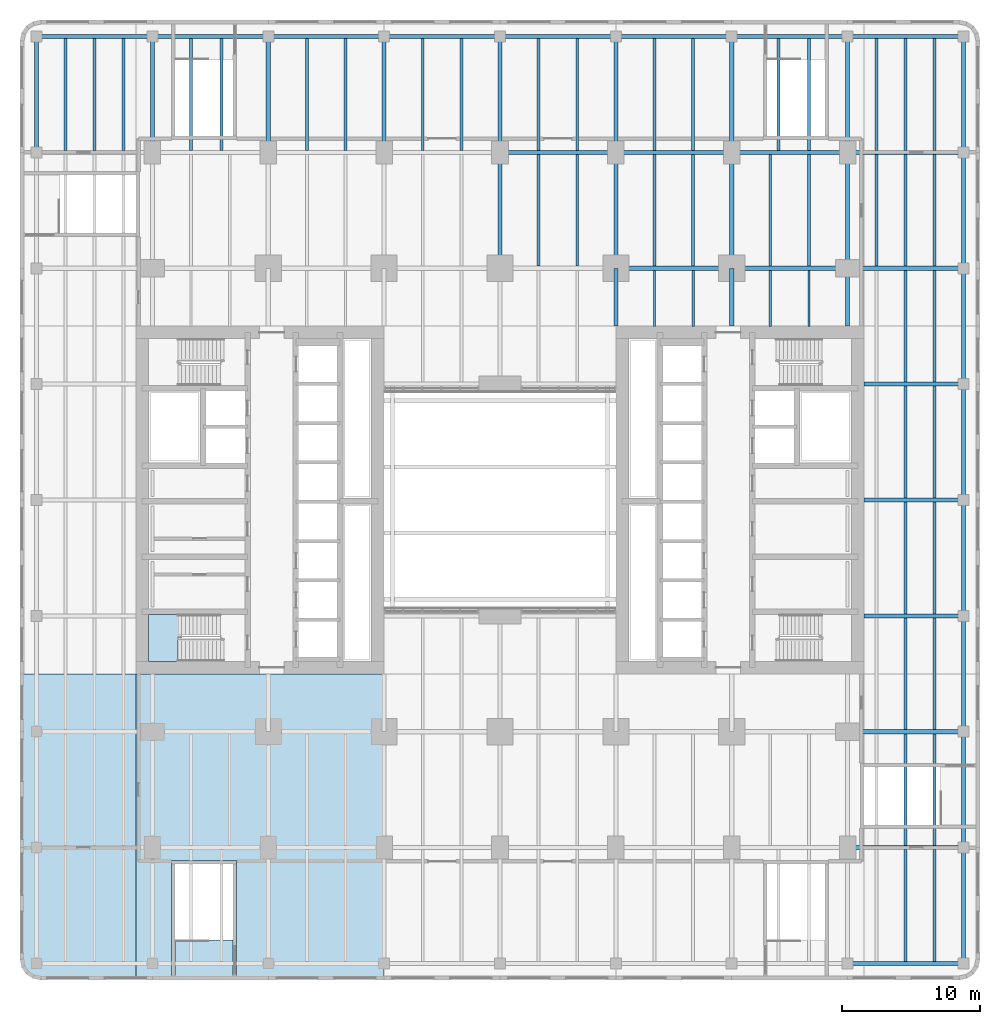
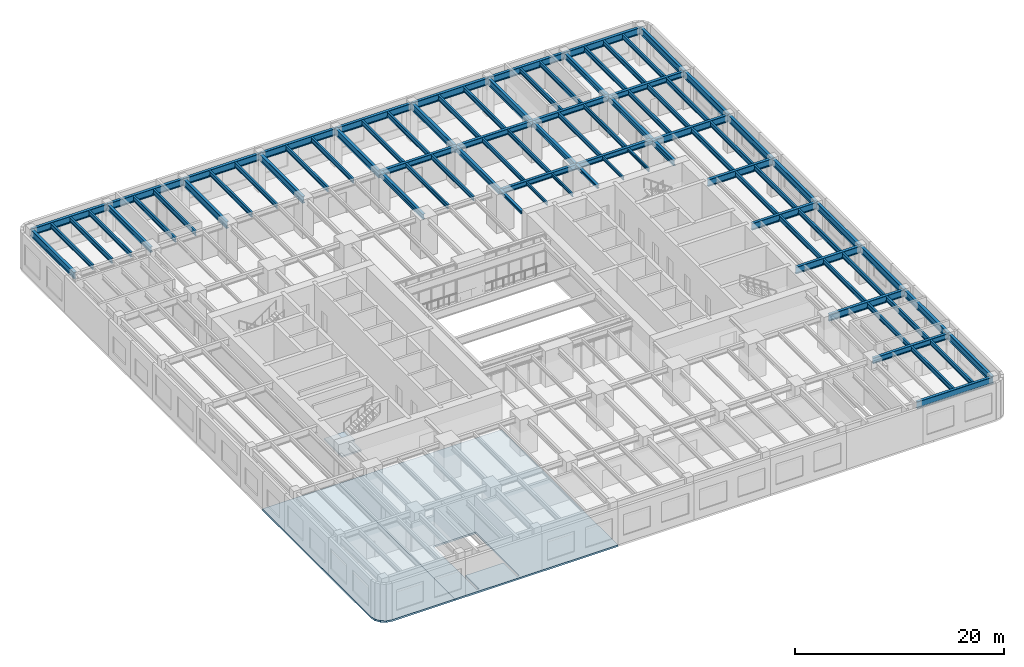
# One storey, part 6 of 22: 87 beams, 3 slabs, 1 element without a shape of its own.
"""IFC4 building model written with IfcOpenShell, lengths in metres."""

from ifc_helpers import new_model, si_unit, direction, frame, origin, origin_2d, place, context, subcontext, project, spatial, polyline, i_section, outline, extrude, material, layer, layer_set, material_profile, profile_set, type_object, element, aggregate, save


model = new_model("IFC4")

# Units and contexts
model_context = context("Model", 3, precision=1e-05, world=origin(), true_north=direction((0.0, 1.0)))
body_context = subcontext(model_context, "Body", "Model", "MODEL_VIEW")
ifc_project = project(units=[si_unit("LENGTHUNIT", "METRE"), si_unit("AREAUNIT", "SQUARE_METRE"), si_unit("VOLUMEUNIT", "CUBIC_METRE"), si_unit("PLANEANGLEUNIT", "RADIAN"), si_unit("MASSUNIT", "GRAM", prefix="KILO")], contexts=[model_context])

# Site, building, storey
site_placement = place(None, origin())
site = spatial("IfcSite", under=ifc_project, at=site_placement, CompositionType="ELEMENT")
building_placement = place(site_placement, origin())
building = spatial("IfcBuilding", under=site, at=building_placement, Name="Claustro Exchange Tower", CompositionType="ELEMENT")
storey_placement = place(building_placement, frame((0.0, 0.0, 14.39990234375)))
storey = spatial("IfcBuildingStorey", under=building, at=storey_placement, Name="L03", CompositionType="ELEMENT", Elevation=14.39990234375)

# Beams
ifc_material_1 = material(Name="Steel S355", Category="steel")
ifc_material_profile_1 = material_profile(ifc_material_1, i_section(OverallWidth=0.300048828125, OverallDepth=0.60009765625, WebThickness=0.015380859375, FlangeThickness=0.030029296875, FilletRadius=0.027099609375, at=origin_2d()), Name="HE 600 B")
ifc_profile_set_1 = profile_set([ifc_material_profile_1], Name="Steel S355")
beam_type_1 = type_object("IfcBeamType", Name="B1 HE 600 B floor girder", PredefinedType="BEAM", material=ifc_profile_set_1)
for number, where, z_axis, x_axis, name in (
    (1, (25.199951171875, 42.0, 4.0400390625), (0.0, 1.0, 0.0), (-1.0, 0.0, 0.0), "Beam B1 L04"),
    (2, (33.60009765625, 42.0, 4.0400390625), (0.0, 1.0, 0.0), (-1.0, 0.0, 0.0), "Beam B1 L04"),
    (3, (42.0, 42.0, 4.0400390625), (0.0, 1.0, 0.0), (-1.0, 0.0, 0.0), "Beam B1 L04"),
    (4, (33.60009765625, 42.0, 4.0400390625), (1.0, 0.0, 0.0), (0.0, 1.0, 0.0), "Beam B1 L04"),
    (5, (42.0, 42.0, 4.0400390625), (1.0, 0.0, 0.0), (0.0, 1.0, 0.0), "Beam B1 L04"),
):
    element("IfcBeam", number, at=place(storey_placement, frame(where, z_axis=z_axis, x_axis=x_axis)), inside=storey, type_object=beam_type_1, Name=name, PredefinedType="BEAM", context=body_context, shape_type="SweptSolid", body=[
        extrude(i_section(OverallWidth=0.300048828125, OverallDepth=0.60009765625, WebThickness=0.015380859375, FlangeThickness=0.030029296875, FilletRadius=0.027099609375, at=origin_2d()), origin(), (0.0, 0.0, 1.0), 8.39990234375),
    ])
ifc_material_2 = material(Name="Steel S355", Category="steel")
ifc_material_profile_2 = material_profile(ifc_material_2, i_section(OverallWidth=0.169921875, OverallDepth=0.360107421875, WebThickness=0.008056640625, FlangeThickness=0.0126953125, FilletRadius=0.01806640625, at=origin_2d()), Name="IPE 360")
ifc_profile_set_2 = profile_set([ifc_material_profile_2], Name="Steel S355")
beam_type_2 = type_object("IfcBeamType", Name="B16 IPE 360 short-span beam", PredefinedType="BEAM", material=ifc_profile_set_2)
for number, where, z_axis, x_axis, name in (
    (6, (36.39990234375, 37.7900390625, 4.16015625), (0.0, 1.0, 0.0), (-1.0, 0.0, 0.0), "Beam B16 L04"),
    (7, (39.199951171875, 37.7900390625, 4.16015625), (0.0, 1.0, 0.0), (-1.0, 0.0, 0.0), "Beam B16 L04"),
    (8, (44.800048828125, 37.7900390625, 4.16015625), (0.0, 1.0, 0.0), (-1.0, 0.0, 0.0), "Beam B16 L04"),
    (9, (47.60009765625, 37.7900390625, 4.16015625), (0.0, 1.0, 0.0), (-1.0, 0.0, 0.0), "Beam B16 L04"),
):
    element("IfcBeam", number, at=place(storey_placement, frame(where, z_axis=z_axis, x_axis=x_axis)), inside=storey, type_object=beam_type_2, Name=name, PredefinedType="BEAM", context=body_context, shape_type="SweptSolid", body=[
        extrude(i_section(OverallWidth=0.169921875, OverallDepth=0.360107421875, WebThickness=0.008056640625, FlangeThickness=0.0126953125, FilletRadius=0.01806640625, at=origin_2d()), origin(), (0.0, 0.0, 1.0), 4.06005859375),
    ])
ifc_material_3 = material(Name="Steel S355", Category="steel")
ifc_material_profile_3 = material_profile(ifc_material_3, i_section(OverallWidth=0.300048828125, OverallDepth=0.800048828125, WebThickness=0.017578125, FlangeThickness=0.032958984375, FilletRadius=0.030029296875, at=origin_2d()), Name="HE 800 B")
ifc_profile_set_3 = profile_set([ifc_material_profile_3], Name="Steel S355")
beam_type_3 = type_object("IfcBeamType", Name="B18 HE 800 B floor girder", PredefinedType="BEAM", material=ifc_profile_set_3)
for number, where, z_axis, x_axis, name in (
    (10, (-8.39990234375, 50.39990234375, 3.85009765625), (0.0, 1.0, 0.0), (-1.0, 0.0, 0.0), "Beam B18 L04"),
    (11, (8.39990234375, 50.39990234375, 3.85009765625), (0.0, 1.0, 0.0), (-1.0, 0.0, 0.0), "Beam B18 L04"),
    (12, (16.800048828125, 50.39990234375, 3.85009765625), (0.0, 1.0, 0.0), (-1.0, 0.0, 0.0), "Beam B18 L04"),
    (13, (25.199951171875, 50.39990234375, 3.85009765625), (0.0, 1.0, 0.0), (-1.0, 0.0, 0.0), "Beam B18 L04"),
    (14, (33.60009765625, 50.39990234375, 3.85009765625), (0.0, 1.0, 0.0), (-1.0, 0.0, 0.0), "Beam B18 L04"),
    (15, (42.0, 50.39990234375, 3.85009765625), (0.0, 1.0, 0.0), (-1.0, 0.0, 0.0), "Beam B18 L04"),
):
    element("IfcBeam", number, at=place(storey_placement, frame(where, z_axis=z_axis, x_axis=x_axis)), inside=storey, type_object=beam_type_3, Name=name, PredefinedType="BEAM", context=body_context, shape_type="SweptSolid", body=[
        extrude(i_section(OverallWidth=0.300048828125, OverallDepth=0.800048828125, WebThickness=0.017578125, FlangeThickness=0.032958984375, FilletRadius=0.030029296875, at=origin_2d()), origin(), (0.0, 0.0, 1.0), 8.400146484375),
    ])
for number, where, z_axis, x_axis, name in (
    (16, (58.800048828125, -8.39990234375, 3.85009765625), (0.0, 1.0, 0.0), (-1.0, 0.0, 0.0), "Beam B18 L04"),
    (17, (58.800048828125, 0.0, 3.85009765625), (0.0, 1.0, 0.0), (-1.0, 0.0, 0.0), "Beam B18 L04"),
):
    element("IfcBeam", number, at=place(storey_placement, frame(where, z_axis=z_axis, x_axis=x_axis)), inside=storey, type_object=beam_type_3, Name=name, PredefinedType="BEAM", context=body_context, shape_type="SweptSolid", body=[
        extrude(i_section(OverallWidth=0.300048828125, OverallDepth=0.800048828125, WebThickness=0.017578125, FlangeThickness=0.032958984375, FilletRadius=0.030029296875, at=origin_2d()), origin(), (0.0, 0.0, 1.0), 8.39990234375),
    ])
beam_1_placement = place(storey_placement, frame((58.800048828125, 8.39990234375, 3.85009765625), z_axis=(0.0, 1.0, 0.0), x_axis=(-1.0, 0.0, 0.0)))
element("IfcBeam", 18, at=beam_1_placement, inside=storey, type_object=beam_type_3, Name="Beam B18 L04", PredefinedType="BEAM", context=body_context, shape_type="SweptSolid", body=[
    extrude(i_section(OverallWidth=0.300048828125, OverallDepth=0.800048828125, WebThickness=0.017578125, FlangeThickness=0.032958984375, FilletRadius=0.030029296875, at=origin_2d()), origin(), (0.0, 0.0, 1.0), 8.400146484375),
])
beam_2_placement = place(storey_placement, frame((58.800048828125, 16.800048828125, 3.85009765625), z_axis=(0.0, 1.0, 0.0), x_axis=(-1.0, 0.0, 0.0)))
element("IfcBeam", 19, at=beam_2_placement, inside=storey, type_object=beam_type_3, Name="Beam B18 L04", PredefinedType="BEAM", context=body_context, shape_type="SweptSolid", body=[
    extrude(i_section(OverallWidth=0.300048828125, OverallDepth=0.800048828125, WebThickness=0.017578125, FlangeThickness=0.032958984375, FilletRadius=0.030029296875, at=origin_2d()), origin(), (0.0, 0.0, 1.0), 8.39990234375),
])
beam_3_placement = place(storey_placement, frame((58.800048828125, 25.199951171875, 3.85009765625), z_axis=(0.0, 1.0, 0.0), x_axis=(-1.0, 0.0, 0.0)))
element("IfcBeam", 20, at=beam_3_placement, inside=storey, type_object=beam_type_3, Name="Beam B18 L04", PredefinedType="BEAM", context=body_context, shape_type="SweptSolid", body=[
    extrude(i_section(OverallWidth=0.300048828125, OverallDepth=0.800048828125, WebThickness=0.017578125, FlangeThickness=0.032958984375, FilletRadius=0.030029296875, at=origin_2d()), origin(), (0.0, 0.0, 1.0), 8.400146484375),
])
for number, where, z_axis, x_axis, name in (
    (21, (58.800048828125, 33.60009765625, 3.85009765625), (0.0, 1.0, 0.0), (-1.0, 0.0, 0.0), "Beam B18 L04"),
    (22, (58.800048828125, 42.0, 3.85009765625), (0.0, 1.0, 0.0), (-1.0, 0.0, 0.0), "Beam B18 L04"),
):
    element("IfcBeam", number, at=place(storey_placement, frame(where, z_axis=z_axis, x_axis=x_axis)), inside=storey, type_object=beam_type_3, Name=name, PredefinedType="BEAM", context=body_context, shape_type="SweptSolid", body=[
        extrude(i_section(OverallWidth=0.300048828125, OverallDepth=0.800048828125, WebThickness=0.017578125, FlangeThickness=0.032958984375, FilletRadius=0.030029296875, at=origin_2d()), origin(), (0.0, 0.0, 1.0), 8.39990234375),
    ])
for number, where, z_axis, x_axis, name in (
    (23, (58.800048828125, 50.39990234375, 3.85009765625), (0.0, 1.0, 0.0), (-1.0, 0.0, 0.0), "Beam B18 L04"),
    (24, (50.39990234375, -8.39990234375, 3.85009765625), (1.0, 0.0, 0.0), (0.0, 1.0, 0.0), "Beam B18 L04"),
    (25, (50.39990234375, 8.39990234375, 3.85009765625), (1.0, 0.0, 0.0), (0.0, 1.0, 0.0), "Beam B18 L04"),
):
    element("IfcBeam", number, at=place(storey_placement, frame(where, z_axis=z_axis, x_axis=x_axis)), inside=storey, type_object=beam_type_3, Name=name, PredefinedType="BEAM", context=body_context, shape_type="SweptSolid", body=[
        extrude(i_section(OverallWidth=0.300048828125, OverallDepth=0.800048828125, WebThickness=0.017578125, FlangeThickness=0.032958984375, FilletRadius=0.030029296875, at=origin_2d()), origin(), (0.0, 0.0, 1.0), 8.400146484375),
    ])
for number, where, z_axis, x_axis, name in (
    (26, (51.60009765625, 16.800048828125, 3.85009765625), (1.0, 0.0, 0.0), (0.0, 1.0, 0.0), "Beam B18 L04"),
    (27, (51.60009765625, 25.199951171875, 3.85009765625), (1.0, 0.0, 0.0), (0.0, 1.0, 0.0), "Beam B18 L04"),
    (28, (51.60009765625, 33.60009765625, 3.85009765625), (1.0, 0.0, 0.0), (0.0, 1.0, 0.0), "Beam B18 L04"),
):
    element("IfcBeam", number, at=place(storey_placement, frame(where, z_axis=z_axis, x_axis=x_axis)), inside=storey, type_object=beam_type_3, Name=name, PredefinedType="BEAM", context=body_context, shape_type="SweptSolid", body=[
        extrude(i_section(OverallWidth=0.300048828125, OverallDepth=0.800048828125, WebThickness=0.017578125, FlangeThickness=0.032958984375, FilletRadius=0.030029296875, at=origin_2d()), origin(), (0.0, 0.0, 1.0), 7.199951171875),
    ])
beam_4_placement = place(storey_placement, frame((50.39990234375, 42.0, 3.85009765625), z_axis=(1.0, 0.0, 0.0), x_axis=(0.0, 1.0, 0.0)))
element("IfcBeam", 29, at=beam_4_placement, inside=storey, type_object=beam_type_3, Name="Beam B18 L04", PredefinedType="BEAM", context=body_context, shape_type="SweptSolid", body=[
    extrude(i_section(OverallWidth=0.300048828125, OverallDepth=0.800048828125, WebThickness=0.017578125, FlangeThickness=0.032958984375, FilletRadius=0.030029296875, at=origin_2d()), origin(), (0.0, 0.0, 1.0), 8.400146484375),
])
for number, where, z_axis, x_axis, name in (
    (30, (-8.39990234375, 58.800048828125, 3.85009765625), (1.0, 0.0, 0.0), (0.0, 1.0, 0.0), "Beam B18 L04"),
    (31, (0.0, 58.800048828125, 3.85009765625), (1.0, 0.0, 0.0), (0.0, 1.0, 0.0), "Beam B18 L04"),
):
    element("IfcBeam", number, at=place(storey_placement, frame(where, z_axis=z_axis, x_axis=x_axis)), inside=storey, type_object=beam_type_3, Name=name, PredefinedType="BEAM", context=body_context, shape_type="SweptSolid", body=[
        extrude(i_section(OverallWidth=0.300048828125, OverallDepth=0.800048828125, WebThickness=0.017578125, FlangeThickness=0.032958984375, FilletRadius=0.030029296875, at=origin_2d()), origin(), (0.0, 0.0, 1.0), 8.39990234375),
    ])
beam_5_placement = place(storey_placement, frame((8.39990234375, 58.800048828125, 3.85009765625), z_axis=(1.0, 0.0, 0.0), x_axis=(0.0, 1.0, 0.0)))
element("IfcBeam", 32, at=beam_5_placement, inside=storey, type_object=beam_type_3, Name="Beam B18 L04", PredefinedType="BEAM", context=body_context, shape_type="SweptSolid", body=[
    extrude(i_section(OverallWidth=0.300048828125, OverallDepth=0.800048828125, WebThickness=0.017578125, FlangeThickness=0.032958984375, FilletRadius=0.030029296875, at=origin_2d()), origin(), (0.0, 0.0, 1.0), 8.400146484375),
])
beam_6_placement = place(storey_placement, frame((16.800048828125, 58.800048828125, 3.85009765625), z_axis=(1.0, 0.0, 0.0), x_axis=(0.0, 1.0, 0.0)))
element("IfcBeam", 33, at=beam_6_placement, inside=storey, type_object=beam_type_3, Name="Beam B18 L04", PredefinedType="BEAM", context=body_context, shape_type="SweptSolid", body=[
    extrude(i_section(OverallWidth=0.300048828125, OverallDepth=0.800048828125, WebThickness=0.017578125, FlangeThickness=0.032958984375, FilletRadius=0.030029296875, at=origin_2d()), origin(), (0.0, 0.0, 1.0), 8.39990234375),
])
beam_7_placement = place(storey_placement, frame((25.199951171875, 58.800048828125, 3.85009765625), z_axis=(1.0, 0.0, 0.0), x_axis=(0.0, 1.0, 0.0)))
element("IfcBeam", 34, at=beam_7_placement, inside=storey, type_object=beam_type_3, Name="Beam B18 L04", PredefinedType="BEAM", context=body_context, shape_type="SweptSolid", body=[
    extrude(i_section(OverallWidth=0.300048828125, OverallDepth=0.800048828125, WebThickness=0.017578125, FlangeThickness=0.032958984375, FilletRadius=0.030029296875, at=origin_2d()), origin(), (0.0, 0.0, 1.0), 8.400146484375),
])
for number, where, z_axis, x_axis, name in (
    (35, (33.60009765625, 58.800048828125, 3.85009765625), (1.0, 0.0, 0.0), (0.0, 1.0, 0.0), "Beam B18 L04"),
    (36, (42.0, 58.800048828125, 3.85009765625), (1.0, 0.0, 0.0), (0.0, 1.0, 0.0), "Beam B18 L04"),
):
    element("IfcBeam", number, at=place(storey_placement, frame(where, z_axis=z_axis, x_axis=x_axis)), inside=storey, type_object=beam_type_3, Name=name, PredefinedType="BEAM", context=body_context, shape_type="SweptSolid", body=[
        extrude(i_section(OverallWidth=0.300048828125, OverallDepth=0.800048828125, WebThickness=0.017578125, FlangeThickness=0.032958984375, FilletRadius=0.030029296875, at=origin_2d()), origin(), (0.0, 0.0, 1.0), 8.39990234375),
    ])
beam_8_placement = place(storey_placement, frame((50.39990234375, 58.800048828125, 3.85009765625), z_axis=(1.0, 0.0, 0.0), x_axis=(0.0, 1.0, 0.0)))
element("IfcBeam", 37, at=beam_8_placement, inside=storey, type_object=beam_type_3, Name="Beam B18 L04", PredefinedType="BEAM", context=body_context, shape_type="SweptSolid", body=[
    extrude(i_section(OverallWidth=0.300048828125, OverallDepth=0.800048828125, WebThickness=0.017578125, FlangeThickness=0.032958984375, FilletRadius=0.030029296875, at=origin_2d()), origin(), (0.0, 0.0, 1.0), 8.400146484375),
])
ifc_material_4 = material(Name="Steel S355", Category="steel")
ifc_material_profile_4 = material_profile(ifc_material_4, i_section(OverallWidth=0.2099609375, OverallDepth=0.550048828125, WebThickness=0.010986328125, FlangeThickness=0.01708984375, FilletRadius=0.02392578125, at=origin_2d()), Name="IPE 550")
ifc_profile_set_4 = profile_set([ifc_material_profile_4], Name="Steel S355")
beam_type_4 = type_object("IfcBeamType", Name="B19 IPE 550 secondary beam", PredefinedType="BEAM", material=ifc_profile_set_4)
for number, where, z_axis, x_axis, name in (
    (38, (-6.300048828125, 50.550048828125, 3.97509765625), (0.0, 1.0, 0.0), (-1.0, 0.0, 0.0), "Beam B19 L04"),
    (39, (-4.199951171875, 50.550048828125, 3.97509765625), (0.0, 1.0, 0.0), (-1.0, 0.0, 0.0), "Beam B19 L04"),
    (40, (-2.10009765625, 50.550048828125, 3.97509765625), (0.0, 1.0, 0.0), (-1.0, 0.0, 0.0), "Beam B19 L04"),
    (41, (2.800048828125, 50.550048828125, 3.97509765625), (0.0, 1.0, 0.0), (-1.0, 0.0, 0.0), "Beam B19 L04"),
    (42, (5.0, 50.550048828125, 3.97509765625), (0.0, 1.0, 0.0), (-1.0, 0.0, 0.0), "Beam B19 L04"),
    (43, (11.199951171875, 50.550048828125, 3.97509765625), (0.0, 1.0, 0.0), (-1.0, 0.0, 0.0), "Beam B19 L04"),
    (44, (14.0, 50.550048828125, 3.97509765625), (0.0, 1.0, 0.0), (-1.0, 0.0, 0.0), "Beam B19 L04"),
    (45, (19.60009765625, 50.550048828125, 3.97509765625), (0.0, 1.0, 0.0), (-1.0, 0.0, 0.0), "Beam B19 L04"),
    (46, (22.39990234375, 50.550048828125, 3.97509765625), (0.0, 1.0, 0.0), (-1.0, 0.0, 0.0), "Beam B19 L04"),
    (47, (28.0, 50.550048828125, 3.97509765625), (0.0, 1.0, 0.0), (-1.0, 0.0, 0.0), "Beam B19 L04"),
    (48, (30.800048828125, 50.550048828125, 3.97509765625), (0.0, 1.0, 0.0), (-1.0, 0.0, 0.0), "Beam B19 L04"),
    (49, (36.39990234375, 50.550048828125, 3.97509765625), (0.0, 1.0, 0.0), (-1.0, 0.0, 0.0), "Beam B19 L04"),
    (50, (39.199951171875, 50.550048828125, 3.97509765625), (0.0, 1.0, 0.0), (-1.0, 0.0, 0.0), "Beam B19 L04"),
    (51, (45.39990234375, 50.550048828125, 3.97509765625), (0.0, 1.0, 0.0), (-1.0, 0.0, 0.0), "Beam B19 L04"),
    (52, (47.60009765625, 50.550048828125, 3.97509765625), (0.0, 1.0, 0.0), (-1.0, 0.0, 0.0), "Beam B19 L04"),
):
    element("IfcBeam", number, at=place(storey_placement, frame(where, z_axis=z_axis, x_axis=x_axis)), inside=storey, type_object=beam_type_4, Name=name, PredefinedType="BEAM", context=body_context, shape_type="SweptSolid", body=[
        extrude(i_section(OverallWidth=0.2099609375, OverallDepth=0.550048828125, WebThickness=0.010986328125, FlangeThickness=0.01708984375, FilletRadius=0.02392578125, at=origin_2d()), origin(), (0.0, 0.0, 1.0), 8.099853515625),
    ])
for number, where, z_axis, x_axis, name in (
    (53, (54.60009765625, -8.25, 3.97509765625), (0.0, 1.0, 0.0), (-1.0, 0.0, 0.0), "Beam B19 L04"),
    (54, (56.699951171875, -8.25, 3.97509765625), (0.0, 1.0, 0.0), (-1.0, 0.0, 0.0), "Beam B19 L04"),
    (55, (54.60009765625, 0.14990234375, 3.97509765625), (0.0, 1.0, 0.0), (-1.0, 0.0, 0.0), "Beam B19 L04"),
    (56, (56.699951171875, 0.14990234375, 3.97509765625), (0.0, 1.0, 0.0), (-1.0, 0.0, 0.0), "Beam B19 L04"),
):
    element("IfcBeam", number, at=place(storey_placement, frame(where, z_axis=z_axis, x_axis=x_axis)), inside=storey, type_object=beam_type_4, Name=name, PredefinedType="BEAM", context=body_context, shape_type="SweptSolid", body=[
        extrude(i_section(OverallWidth=0.2099609375, OverallDepth=0.550048828125, WebThickness=0.010986328125, FlangeThickness=0.01708984375, FilletRadius=0.02392578125, at=origin_2d()), origin(), (0.0, 0.0, 1.0), 8.10009765625),
    ])
for number, where, z_axis, x_axis, name in (
    (57, (54.60009765625, 8.550048828125, 3.97509765625), (0.0, 1.0, 0.0), (-1.0, 0.0, 0.0), "Beam B19 L04"),
    (58, (56.699951171875, 8.550048828125, 3.97509765625), (0.0, 1.0, 0.0), (-1.0, 0.0, 0.0), "Beam B19 L04"),
):
    element("IfcBeam", number, at=place(storey_placement, frame(where, z_axis=z_axis, x_axis=x_axis)), inside=storey, type_object=beam_type_4, Name=name, PredefinedType="BEAM", context=body_context, shape_type="SweptSolid", body=[
        extrude(i_section(OverallWidth=0.2099609375, OverallDepth=0.550048828125, WebThickness=0.010986328125, FlangeThickness=0.01708984375, FilletRadius=0.02392578125, at=origin_2d()), origin(), (0.0, 0.0, 1.0), 8.099853515625),
    ])
for number, where, z_axis, x_axis, name in (
    (59, (54.60009765625, 16.949951171875, 3.97509765625), (0.0, 1.0, 0.0), (-1.0, 0.0, 0.0), "Beam B19 L04"),
    (60, (56.699951171875, 16.949951171875, 3.97509765625), (0.0, 1.0, 0.0), (-1.0, 0.0, 0.0), "Beam B19 L04"),
):
    element("IfcBeam", number, at=place(storey_placement, frame(where, z_axis=z_axis, x_axis=x_axis)), inside=storey, type_object=beam_type_4, Name=name, PredefinedType="BEAM", context=body_context, shape_type="SweptSolid", body=[
        extrude(i_section(OverallWidth=0.2099609375, OverallDepth=0.550048828125, WebThickness=0.010986328125, FlangeThickness=0.01708984375, FilletRadius=0.02392578125, at=origin_2d()), origin(), (0.0, 0.0, 1.0), 8.10009765625),
    ])
for number, where, z_axis, x_axis, name in (
    (61, (54.60009765625, 25.35009765625, 3.97509765625), (0.0, 1.0, 0.0), (-1.0, 0.0, 0.0), "Beam B19 L04"),
    (62, (56.699951171875, 25.35009765625, 3.97509765625), (0.0, 1.0, 0.0), (-1.0, 0.0, 0.0), "Beam B19 L04"),
):
    element("IfcBeam", number, at=place(storey_placement, frame(where, z_axis=z_axis, x_axis=x_axis)), inside=storey, type_object=beam_type_4, Name=name, PredefinedType="BEAM", context=body_context, shape_type="SweptSolid", body=[
        extrude(i_section(OverallWidth=0.2099609375, OverallDepth=0.550048828125, WebThickness=0.010986328125, FlangeThickness=0.01708984375, FilletRadius=0.02392578125, at=origin_2d()), origin(), (0.0, 0.0, 1.0), 8.099853515625),
    ])
for number, where, z_axis, x_axis, name in (
    (63, (54.60009765625, 33.75, 3.97509765625), (0.0, 1.0, 0.0), (-1.0, 0.0, 0.0), "Beam B19 L04"),
    (64, (56.699951171875, 33.75, 3.97509765625), (0.0, 1.0, 0.0), (-1.0, 0.0, 0.0), "Beam B19 L04"),
    (65, (52.5, 42.14990234375, 3.97509765625), (0.0, 1.0, 0.0), (-1.0, 0.0, 0.0), "Beam B19 L04"),
    (66, (54.60009765625, 42.14990234375, 3.97509765625), (0.0, 1.0, 0.0), (-1.0, 0.0, 0.0), "Beam B19 L04"),
    (67, (56.699951171875, 42.14990234375, 3.97509765625), (0.0, 1.0, 0.0), (-1.0, 0.0, 0.0), "Beam B19 L04"),
):
    element("IfcBeam", number, at=place(storey_placement, frame(where, z_axis=z_axis, x_axis=x_axis)), inside=storey, type_object=beam_type_4, Name=name, PredefinedType="BEAM", context=body_context, shape_type="SweptSolid", body=[
        extrude(i_section(OverallWidth=0.2099609375, OverallDepth=0.550048828125, WebThickness=0.010986328125, FlangeThickness=0.01708984375, FilletRadius=0.02392578125, at=origin_2d()), origin(), (0.0, 0.0, 1.0), 8.10009765625),
    ])
for number, where, z_axis, x_axis, name in (
    (68, (52.5, 50.550048828125, 3.97509765625), (0.0, 1.0, 0.0), (-1.0, 0.0, 0.0), "Beam B19 L04"),
    (69, (54.60009765625, 50.550048828125, 3.97509765625), (0.0, 1.0, 0.0), (-1.0, 0.0, 0.0), "Beam B19 L04"),
    (70, (56.699951171875, 50.550048828125, 3.97509765625), (0.0, 1.0, 0.0), (-1.0, 0.0, 0.0), "Beam B19 L04"),
):
    element("IfcBeam", number, at=place(storey_placement, frame(where, z_axis=z_axis, x_axis=x_axis)), inside=storey, type_object=beam_type_4, Name=name, PredefinedType="BEAM", context=body_context, shape_type="SweptSolid", body=[
        extrude(i_section(OverallWidth=0.2099609375, OverallDepth=0.550048828125, WebThickness=0.010986328125, FlangeThickness=0.01708984375, FilletRadius=0.02392578125, at=origin_2d()), origin(), (0.0, 0.0, 1.0), 8.099853515625),
    ])
ifc_material_5 = material(Name="Steel S355", Category="steel")
ifc_material_profile_5 = material_profile(ifc_material_5, i_section(OverallWidth=0.199951171875, OverallDepth=0.5, WebThickness=0.01025390625, FlangeThickness=0.01611328125, FilletRadius=0.02099609375, at=origin_2d()), Name="IPE 500")
ifc_profile_set_5 = profile_set([ifc_material_profile_5], Name="Steel S355")
beam_type_5 = type_object("IfcBeamType", Name="B2 IPE 500 secondary beam", PredefinedType="BEAM", material=ifc_profile_set_5)
for number, where, z_axis, x_axis, name in (
    (71, (28.0, 42.14990234375, 4.090087890625), (0.0, 1.0, 0.0), (-1.0, 0.0, 0.0), "Beam B2 L04"),
    (72, (30.800048828125, 42.14990234375, 4.090087890625), (0.0, 1.0, 0.0), (-1.0, 0.0, 0.0), "Beam B2 L04"),
    (73, (36.39990234375, 42.14990234375, 4.090087890625), (0.0, 1.0, 0.0), (-1.0, 0.0, 0.0), "Beam B2 L04"),
    (74, (39.199951171875, 42.14990234375, 4.090087890625), (0.0, 1.0, 0.0), (-1.0, 0.0, 0.0), "Beam B2 L04"),
    (75, (44.800048828125, 42.14990234375, 4.090087890625), (0.0, 1.0, 0.0), (-1.0, 0.0, 0.0), "Beam B2 L04"),
    (76, (47.60009765625, 42.14990234375, 4.090087890625), (0.0, 1.0, 0.0), (-1.0, 0.0, 0.0), "Beam B2 L04"),
):
    element("IfcBeam", number, at=place(storey_placement, frame(where, z_axis=z_axis, x_axis=x_axis)), inside=storey, type_object=beam_type_5, Name=name, PredefinedType="BEAM", context=body_context, shape_type="SweptSolid", body=[
        extrude(i_section(OverallWidth=0.199951171875, OverallDepth=0.5, WebThickness=0.01025390625, FlangeThickness=0.01611328125, FilletRadius=0.02099609375, at=origin_2d()), origin(), (0.0, 0.0, 1.0), 8.10009765625),
    ])
ifc_material_6 = material(Name="Steel S355", Category="steel")
ifc_material_profile_6 = material_profile(ifc_material_6, i_section(OverallWidth=0.300048828125, OverallDepth=0.64990234375, WebThickness=0.01611328125, FlangeThickness=0.031005859375, FilletRadius=0.027099609375, at=origin_2d()), Name="HE 650 B")
ifc_profile_set_6 = profile_set([ifc_material_profile_6], Name="Steel S355")
beam_type_6 = type_object("IfcBeamType", Name="B26 HE 650 B podium roof spandrel edge girder", PredefinedType="SPANDREL", material=ifc_profile_set_6)
beam_9_placement = place(storey_placement, frame((0.0, 50.39990234375, 3.925048828125), z_axis=(0.0, 1.0, 0.0), x_axis=(-1.0, 0.0, 0.0)))
element("IfcBeam", 77, at=beam_9_placement, inside=storey, type_object=beam_type_6, Name="Beam B26 L04", PredefinedType="SPANDREL", context=body_context, shape_type="SweptSolid", body=[
    extrude(i_section(OverallWidth=0.300048828125, OverallDepth=0.64990234375, WebThickness=0.01611328125, FlangeThickness=0.031005859375, FilletRadius=0.027099609375, at=origin_2d()), origin(), (0.0, 0.0, 1.0), 8.400146484375),
])
beam_10_placement = place(storey_placement, frame((50.39990234375, 37.800048828125, 4.01513671875), z_axis=(0.0, 1.0, 0.0), x_axis=(-1.0, 0.0, 0.0)))
element("IfcBeam", 78, at=beam_10_placement, inside=storey, type_object=beam_type_6, Name="Beam B26 L04", PredefinedType="SPANDREL", context=body_context, shape_type="SweptSolid", body=[
    extrude(i_section(OverallWidth=0.300048828125, OverallDepth=0.64990234375, WebThickness=0.01611328125, FlangeThickness=0.031005859375, FilletRadius=0.027099609375, at=origin_2d()), origin(), (0.0, 0.0, 1.0), 4.199951171875),
])
beam_11_placement = place(storey_placement, frame((50.39990234375, 42.0, 4.01513671875), z_axis=(0.0, 1.0, 0.0), x_axis=(-1.0, 0.0, 0.0)))
element("IfcBeam", 79, at=beam_11_placement, inside=storey, type_object=beam_type_6, Name="Beam B26 L04", PredefinedType="SPANDREL", context=body_context, shape_type="SweptSolid", body=[
    extrude(i_section(OverallWidth=0.300048828125, OverallDepth=0.64990234375, WebThickness=0.01611328125, FlangeThickness=0.031005859375, FilletRadius=0.027099609375, at=origin_2d()), origin(), (0.0, 0.0, 1.0), 8.39990234375),
])
for number, where, z_axis, x_axis, name in (
    (80, (50.39990234375, 50.39990234375, 3.925048828125), (0.0, 1.0, 0.0), (-1.0, 0.0, 0.0), "Beam B26 L04"),
    (81, (50.39990234375, 0.0, 3.925048828125), (1.0, 0.0, 0.0), (0.0, 1.0, 0.0), "Beam B26 L04"),
    (82, (25.199951171875, 50.39990234375, 4.01513671875), (1.0, 0.0, 0.0), (0.0, 1.0, 0.0), "Beam B26 L04"),
):
    element("IfcBeam", number, at=place(storey_placement, frame(where, z_axis=z_axis, x_axis=x_axis)), inside=storey, type_object=beam_type_6, Name=name, PredefinedType="SPANDREL", context=body_context, shape_type="SweptSolid", body=[
        extrude(i_section(OverallWidth=0.300048828125, OverallDepth=0.64990234375, WebThickness=0.01611328125, FlangeThickness=0.031005859375, FilletRadius=0.027099609375, at=origin_2d()), origin(), (0.0, 0.0, 1.0), 8.400146484375),
    ])
for number, where, z_axis, x_axis, name in (
    (83, (33.60009765625, 50.39990234375, 4.01513671875), (1.0, 0.0, 0.0), (0.0, 1.0, 0.0), "Beam B26 L04"),
    (84, (42.0, 50.39990234375, 4.01513671875), (1.0, 0.0, 0.0), (0.0, 1.0, 0.0), "Beam B26 L04"),
):
    element("IfcBeam", number, at=place(storey_placement, frame(where, z_axis=z_axis, x_axis=x_axis)), inside=storey, type_object=beam_type_6, Name=name, PredefinedType="SPANDREL", context=body_context, shape_type="SweptSolid", body=[
        extrude(i_section(OverallWidth=0.300048828125, OverallDepth=0.64990234375, WebThickness=0.01611328125, FlangeThickness=0.031005859375, FilletRadius=0.027099609375, at=origin_2d()), origin(), (0.0, 0.0, 1.0), 8.39990234375),
    ])
beam_12_placement = place(storey_placement, frame((50.39990234375, 50.39990234375, 3.925048828125), z_axis=(1.0, 0.0, 0.0), x_axis=(0.0, 1.0, 0.0)))
element("IfcBeam", 85, at=beam_12_placement, inside=storey, type_object=beam_type_6, Name="Beam B26 L04", PredefinedType="SPANDREL", context=body_context, shape_type="SweptSolid", body=[
    extrude(i_section(OverallWidth=0.300048828125, OverallDepth=0.64990234375, WebThickness=0.01611328125, FlangeThickness=0.031005859375, FilletRadius=0.027099609375, at=origin_2d()), origin(), (0.0, 0.0, 1.0), 8.400146484375),
])
ifc_material_7 = material(Name="Steel S355", Category="steel")
ifc_material_profile_7 = material_profile(ifc_material_7, i_section(OverallWidth=0.300048828125, OverallDepth=0.360107421875, WebThickness=0.012451171875, FlangeThickness=0.0224609375, FilletRadius=0.027099609375, at=origin_2d()), Name="HE 360 B")
ifc_profile_set_7 = profile_set([ifc_material_profile_7], Name="Steel S355")
beam_type_7 = type_object("IfcBeamType", Name="B29 HE 360 B column to core link beam", PredefinedType="BEAM", material=ifc_profile_set_7)
for number, where, z_axis, x_axis, name in (
    (86, (33.60009765625, 37.800048828125, 4.16015625), (0.0, 1.0, 0.0), (-1.0, 0.0, 0.0), "Beam B29 L04"),
    (87, (42.0, 37.800048828125, 4.16015625), (0.0, 1.0, 0.0), (-1.0, 0.0, 0.0), "Beam B29 L04"),
):
    element("IfcBeam", number, at=place(storey_placement, frame(where, z_axis=z_axis, x_axis=x_axis)), inside=storey, type_object=beam_type_7, Name=name, PredefinedType="BEAM", context=body_context, shape_type="SweptSolid", body=[
        extrude(i_section(OverallWidth=0.300048828125, OverallDepth=0.360107421875, WebThickness=0.012451171875, FlangeThickness=0.0224609375, FilletRadius=0.027099609375, at=origin_2d()), origin(), (0.0, 0.0, 1.0), 4.199951171875),
    ])

# Slabs
ifc_material_8 = material(Name="Concrete HA-50 (C50/60)", Category="concrete")
ifc_layer_1 = layer(ifc_material_8, 0.199951171875)
ifc_layer_set_1 = layer_set([ifc_layer_1], Name="Concrete HA-50 (C50/60)")
slab_type_1 = type_object("IfcSlabType", Name="S3 200 plant floor slab", PredefinedType="FLOOR", material=ifc_layer_set_1)
slab_1_placement = place(storey_placement, frame((0.0, 0.0, -0.199951171875)))
element("IfcSlab", 88, at=slab_1_placement, inside=storey, type_object=slab_type_1, Name="Floor slab S3 S L03", PredefinedType="FLOOR", context=body_context, shape_type="SweptSolid", body=[
    extrude(outline(polyline([(-8.10009765625, -9.60009765625), (-1.199951171875, -9.60009765625), (-1.199951171875, 12.60009765625), (-9.60009765625, 12.60009765625), (-9.60009765625, -8.10009765625), (-9.48583984375, -8.674072265625), (-9.16064453125, -9.16064453125), (-8.674072265625, -9.48583984375), (-8.10009765625, -9.60009765625)])), origin(), (0.0, 0.0, 1.0), 0.199951171875),
])
slab_2_placement = place(storey_placement, frame((0.0, 0.0, -0.199951171875)))
element("IfcSlab", 89, at=slab_2_placement, inside=storey, type_object=slab_type_1, Name="Floor slab S3 S L03", PredefinedType="FLOOR", context=body_context, shape_type="SweptSolid", body=[
    extrude(outline(polyline([(-1.199951171875, -9.60009765625), (16.800048828125, -9.60009765625), (16.800048828125, 12.60009765625), (-1.199951171875, 12.60009765625), (-1.199951171875, -9.60009765625)]), holes=[polyline([(3.75, -6.699951171875), (1.64990234375, -6.699951171875), (1.64990234375, -9.280029296875), (1.39990234375, -9.280029296875), (1.39990234375, -1.199951171875), (1.39990234375, -0.949951171875), (6.10009765625, -0.949951171875), (6.10009765625, -1.199951171875), (6.10009765625, -9.280029296875), (5.85009765625, -9.280029296875), (5.85009765625, -6.695068359375), (3.75, -6.695068359375), (3.75, -6.699951171875)])]), origin(), (0.0, 0.0, 1.0), 0.199951171875),
])

# Stair, slab
ifc_material_9 = material(Name="Concrete HA-30 (C30/37), precast", Category="concrete")
stair_type = type_object("IfcStairType", Name="ST2 half-turn stair, 25 risers of 180", PredefinedType="HALF_TURN_STAIR", material=ifc_material_9)
stair_placement = place(storey_placement, origin())
stair = element("IfcStair", 90, at=stair_placement, inside=storey, type_object=stair_type, Name="Stair STWA L03", PredefinedType="HALF_TURN_STAIR")
ifc_material_10 = material(Name="Concrete HA-30 (C30/37), precast", Category="concrete")
ifc_layer_2 = layer(ifc_material_10, 0.199951171875)
ifc_layer_set_2 = layer_set([ifc_layer_2], Name="Concrete HA-30 (C30/37), precast")
slab_type_2 = type_object("IfcSlabType", Name="S9 200 stair landing", PredefinedType="LANDING", material=ifc_layer_set_2)
slab_3_placement = place(storey_placement, frame((0.0, 0.0, 2.14013671875)))
slab_3 = element("IfcSlab", 91, at=slab_3_placement, type_object=slab_type_2, Name="STWA landing 1", PredefinedType="LANDING", context=body_context, shape_type="SweptSolid", body=[
    extrude(outline(polyline([(1.844970703125, 13.5), (-0.300048828125, 13.5), (-0.300048828125, 16.89990234375), (1.840087890625, 16.89990234375), (1.844970703125, 16.89990234375), (2.1201171875, 16.89990234375), (2.1201171875, 15.199951171875), (1.844970703125, 15.199951171875), (1.844970703125, 13.5)])), origin(), (0.0, 0.0, 1.0), 0.199951171875),
])
aggregate(stair, [slab_3])

save(model, "model.ifc")
